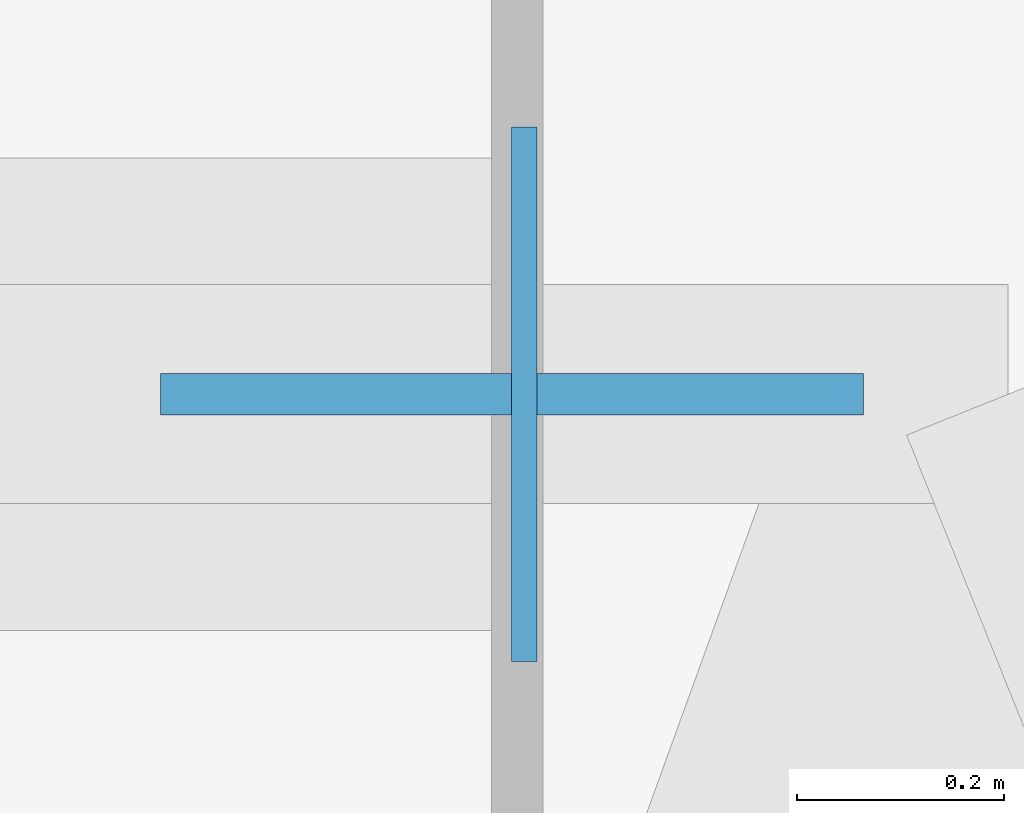
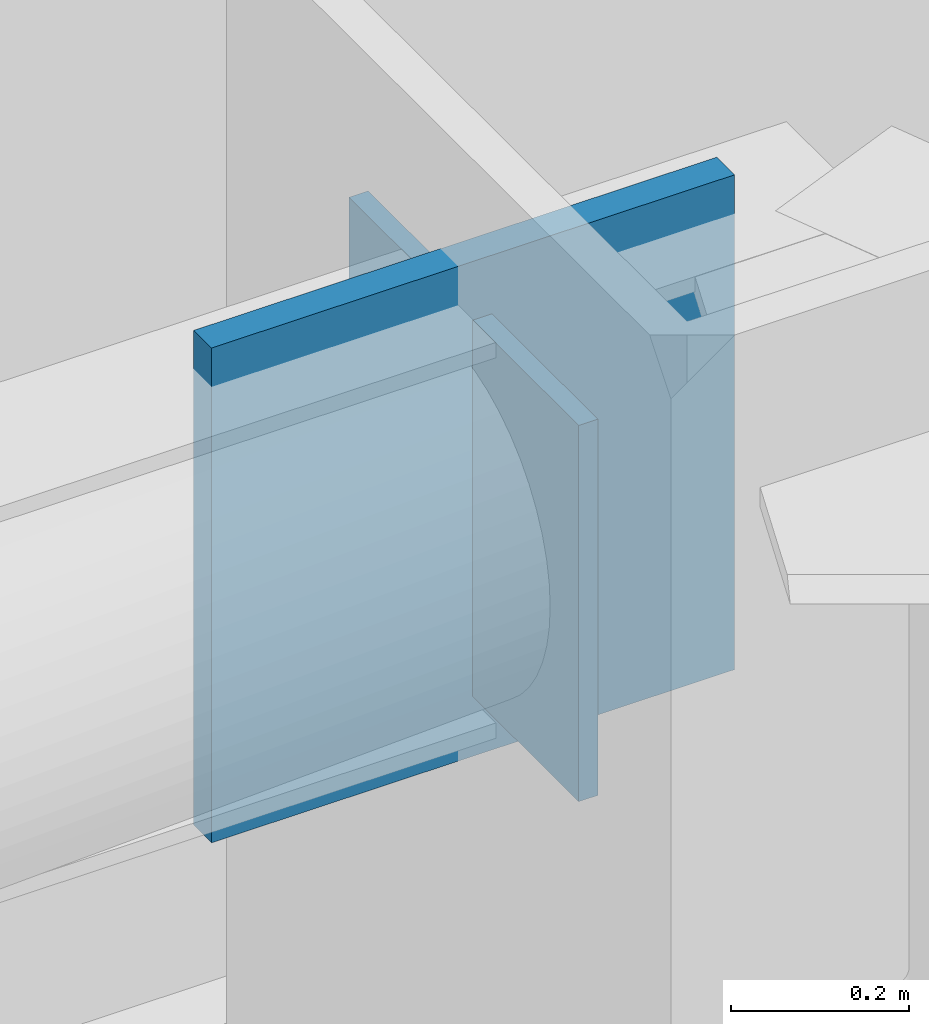
# One storey, part 4 of 12: 2 plates.
"""IFC4 building model written with IfcOpenShell, lengths in metres."""

from ifc_helpers import new_model, si_unit, direction, frame, origin, origin_2d, place, context, subcontext, project, spatial, rectangle, extrude, material, layer, layer_set, type_object, element, save


model = new_model("IFC4")

# Units and contexts
model_context = context("Model", 3, precision=1e-05, world=origin(), true_north=direction((0.0, 1.0)))
body_context = subcontext(model_context, "Body", "Model", "MODEL_VIEW")
ifc_project = project(units=[si_unit("LENGTHUNIT", "METRE"), si_unit("AREAUNIT", "SQUARE_METRE"), si_unit("VOLUMEUNIT", "CUBIC_METRE"), si_unit("PLANEANGLEUNIT", "RADIAN"), si_unit("MASSUNIT", "GRAM", prefix="KILO")], contexts=[model_context])

# Site, building, storey
site_placement = place(None, origin())
site = spatial("IfcSite", under=ifc_project, at=site_placement, CompositionType="ELEMENT")
building_placement = place(site_placement, origin())
building = spatial("IfcBuilding", under=site, at=building_placement, Name="Khamvora Tower", CompositionType="ELEMENT")
storey_placement = place(building_placement, frame((0.0, 0.0, 127.449951171875)))
storey = spatial("IfcBuildingStorey", under=building, at=storey_placement, Name="L32", CompositionType="ELEMENT", Elevation=127.449951171875)

# Plates
ifc_material_1 = material(Name="Steel S355", Category="steel")
ifc_layer_1 = layer(ifc_material_1, 0.02490234375)
ifc_layer_set_1 = layer_set([ifc_layer_1], Name="Steel S355")
plate_type_1 = type_object("IfcPlateType", Name="PL-CAP-25", PredefinedType="SHEET", material=ifc_layer_set_1)
plate_1_placement = place(storey_placement, frame((49.48193359375, 47.300048828125, 2.884521484375), z_axis=(0.0, 0.0, 1.0), x_axis=(1.0, 0.0, 0.0)))
element("IfcPlate", 1, at=plate_1_placement, inside=storey, type_object=plate_type_1, Name="L32 hollow section steel end cap plate 0775", PredefinedType="SHEET", context=body_context, shape_type="SweptSolid", body=[
    extrude(rectangle(XDim=0.02490234375, YDim=0.51708984375, at=origin_2d()), origin(), (0.0, 0.0, 1.0), 0.51708984375),
])
ifc_material_2 = material(Name="Steel S460", Category="steel")
ifc_layer_2 = layer(ifc_material_2, 0.0400390625)
ifc_layer_set_2 = layer_set([ifc_layer_2], Name="Steel S460")
plate_type_2 = type_object("IfcPlateType", Name="PLT-GUS-40", PredefinedType="SHEET", material=ifc_layer_set_2)
plate_2_placement = place(storey_placement, frame((49.469970703125, 47.300048828125, 2.80224609375), z_axis=(0.0, 0.0, 1.0), x_axis=(1.0, 0.0, 0.0)))
element("IfcPlate", 2, at=plate_2_placement, inside=storey, type_object=plate_type_2, Name="L32 brace connection node gusset plate 0208", PredefinedType="SHEET", context=body_context, shape_type="SweptSolid", body=[
    extrude(rectangle(XDim=0.679931640625, YDim=0.0400390625, at=origin_2d()), origin(), (0.0, 0.0, 1.0), 0.679931640625),
])

save(model, "model.ifc")
